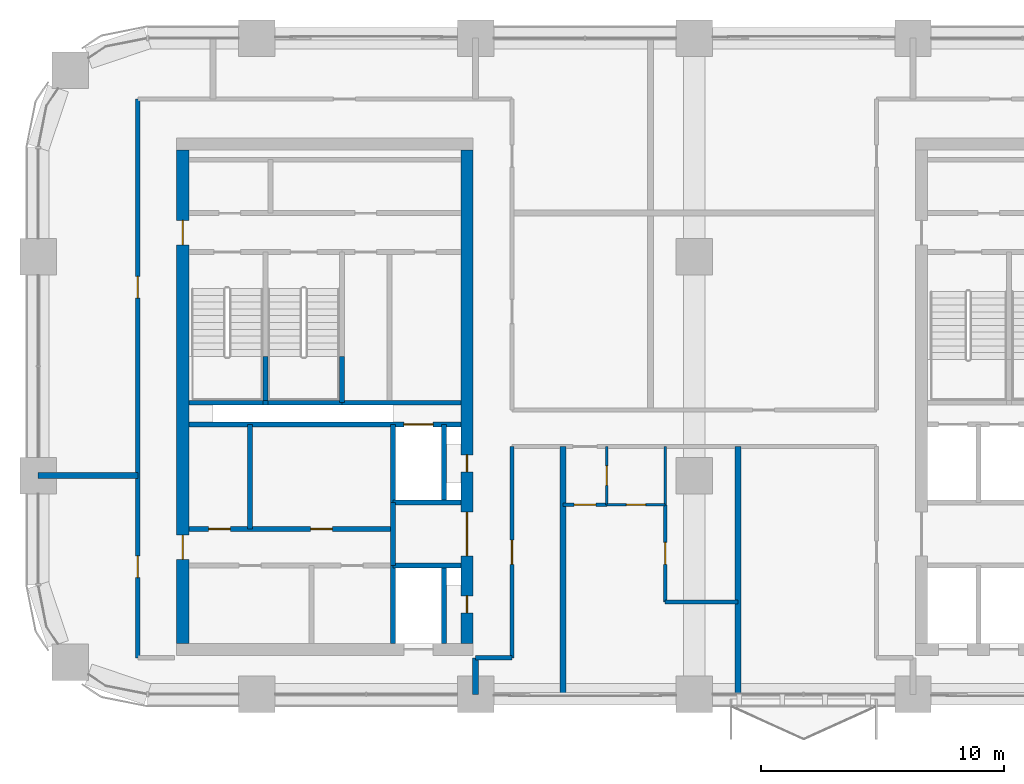
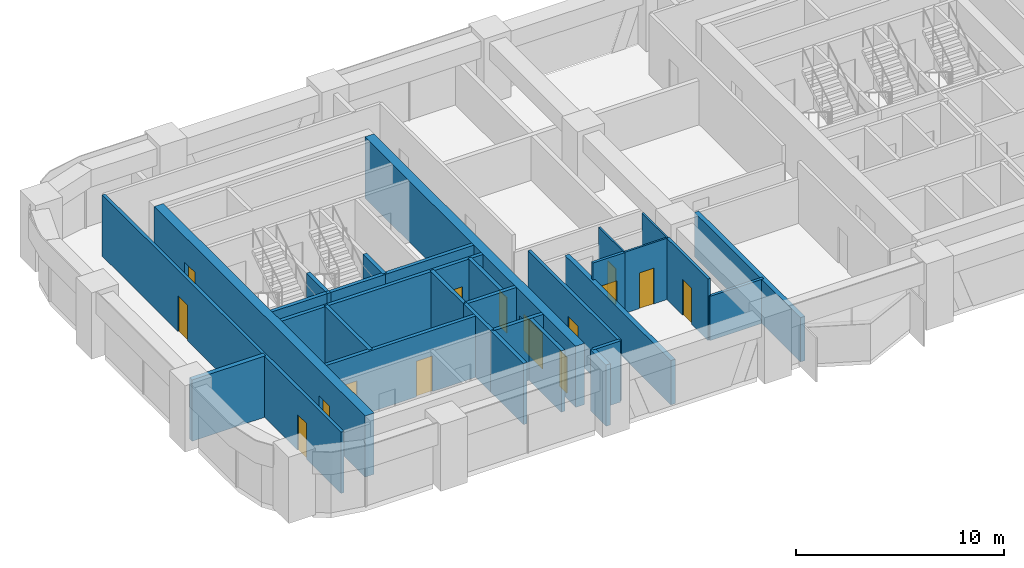
# One storey, part 9 of 14: 31 walls, 15 doors, 15 openings.
"""IFC4 building model written with IfcOpenShell, lengths in metres."""

from ifc_helpers import new_model, si_unit, direction, frame, frame_2d, origin, place, context, subcontext, project, spatial, rectangle, extrude, material, layer, layer_set, type_object, element, fill, save


model = new_model("IFC4")

# Units and contexts
model_context = context("Model", 3, precision=1e-05, world=origin(), true_north=direction((0.0, 1.0)))
body_context = subcontext(model_context, "Body", "Model", "MODEL_VIEW")
ifc_project = project(units=[si_unit("LENGTHUNIT", "METRE"), si_unit("AREAUNIT", "SQUARE_METRE"), si_unit("VOLUMEUNIT", "CUBIC_METRE"), si_unit("PLANEANGLEUNIT", "RADIAN"), si_unit("MASSUNIT", "GRAM", prefix="KILO")], contexts=[model_context])

# Site, building, storey
site_placement = place(None, origin())
site = spatial("IfcSite", under=ifc_project, at=site_placement, CompositionType="ELEMENT")
building_placement = place(site_placement, origin())
building = spatial("IfcBuilding", under=site, at=building_placement, Name="Tessera Arch", CompositionType="ELEMENT")
storey_placement = place(building_placement, frame((0.0, 0.0, 146.60009765625)))
storey = spatial("IfcBuildingStorey", under=building, at=storey_placement, Name="L34", CompositionType="ELEMENT", Elevation=146.60009765625)

# Walls
ifc_material_1 = material(Name="Gypsum board on steel stud", Category="steel")
ifc_layer_1 = layer(ifc_material_1, 0.125)
ifc_layer_set_1 = layer_set([ifc_layer_1], Name="Core partition 125 EI 60")
wall_type_1 = type_object("IfcWallType", Name="Core partition 125 EI 60", PredefinedType="PARTITIONING", material=ifc_layer_set_1)
wall_1_placement = place(storey_placement, frame((8.719970703125, 33.800048828125, 0.0), z_axis=(0.0, 0.0, 1.0), x_axis=(0.0, 1.0, 0.0)))
element("IfcWall", 1, at=wall_1_placement, inside=storey, type_object=wall_type_1, Name="L34 C2 partition wall 1", PredefinedType="PARTITIONING", context=body_context, shape_type="SweptSolid", body=[
    extrude(rectangle(XDim=4.300048828125, YDim=0.199951171875, at=frame_2d((2.14990234375, 0.0))), origin(), (0.0, 0.0, 1.0), 3.599853515625),
])
wall_2_placement = place(storey_placement, frame((14.60009765625, 32.300048828125, 0.0), z_axis=(0.0, 0.0, 1.0), x_axis=(0.0, 1.0, 0.0)))
element("IfcWall", 2, at=wall_2_placement, inside=storey, type_object=wall_type_1, Name="L34 C2 partition wall 9", PredefinedType="PARTITIONING", context=body_context, shape_type="SweptSolid", body=[
    extrude(rectangle(XDim=2.599853515625, YDim=0.199951171875, at=frame_2d((1.2998046875, 0.0))), origin(), (0.0, 0.0, 1.0), 3.599853515625),
])

# Wall, openings, doors
wall_3_placement = place(storey_placement, frame((6.199951171875, 33.800048828125, 0.0), z_axis=(0.0, 0.0, 1.0), x_axis=(1.0, 0.0, 0.0)))
wall_3 = element("IfcWall", 3, at=wall_3_placement, inside=storey, type_object=wall_type_1, Name="L34 C2 partition wall 16", PredefinedType="PARTITIONING", context=body_context, shape_type="SweptSolid", body=[
    extrude(rectangle(XDim=8.400146484375, YDim=0.199951171875, at=frame_2d((4.2001953125, 0.0))), origin(), (0.0, 0.0, 1.0), 3.599853515625),
])
opening_1_placement = place(wall_3_placement, frame((0.81005859375, 0.0, 0.0)))
opening_1 = element("IfcOpeningElement", 4, at=opening_1_placement, cuts=wall_3, Name="Opening L34-C35", PredefinedType="OPENING", context=body_context, shape_type="SweptSolid", body=[
    extrude(rectangle(XDim=0.89990234375, YDim=2.10009765625, at=frame_2d((0.449951171875, 1.050048828125))), frame((0.0, 0.10986328125, 0.0), z_axis=(0.0, -1.0, 0.0), x_axis=(1.0, 0.0, 0.0)), (0.0, 0.0, 1.0), 0.219970703125),
])
opening_2_placement = place(wall_3_placement, frame((5.010009765625, 0.0, 0.0)))
opening_2 = element("IfcOpeningElement", 5, at=opening_2_placement, cuts=wall_3, Name="Opening L34-C36", PredefinedType="OPENING", context=body_context, shape_type="SweptSolid", body=[
    extrude(rectangle(XDim=0.89990234375, YDim=2.10009765625, at=frame_2d((0.449951171875, 1.050048828125))), frame((0.0, 0.10986328125, 0.0), z_axis=(0.0, -1.0, 0.0), x_axis=(1.0, 0.0, 0.0)), (0.0, 0.0, 1.0), 0.219970703125),
])
ifc_material_2 = material(Name="Steel door leaf", Category="steel")
door_type_1 = type_object("IfcDoorType", Name="Store door FD30S 900 x 2100", OperationType="SINGLE_SWING_LEFT", PredefinedType="DOOR", material=ifc_material_2)
door_1_placement = place(opening_1_placement, origin())
door_1 = element("IfcDoor", 6, at=door_1_placement, inside=storey, type_object=door_type_1, Name="L34 C2 door 16 C35 type D09", OperationType="SINGLE_SWING_LEFT", OverallHeight=2.10009765625, OverallWidth=0.89990234375, PredefinedType="DOOR", context=body_context, shape_type="SweptSolid", body=[
    extrude(rectangle(XDim=0.89990234375, YDim=2.10009765625, at=frame_2d((0.449951171875, 1.050048828125))), frame((0.0, 0.02490234375, 0.0), z_axis=(0.0, -1.0, 0.0), x_axis=(1.0, 0.0, 0.0)), (0.0, 0.0, 1.0), 0.050048828125),
])
fill(opening_1, door_1)
door_2_placement = place(opening_2_placement, origin())
door_2 = element("IfcDoor", 7, at=door_2_placement, inside=storey, type_object=door_type_1, Name="L34 C2 door 17 C36 type D09", OperationType="SINGLE_SWING_RIGHT", OverallHeight=2.10009765625, OverallWidth=0.89990234375, PredefinedType="DOOR", context=body_context, shape_type="SweptSolid", body=[
    extrude(rectangle(XDim=0.89990234375, YDim=2.10009765625, at=frame_2d((0.449951171875, 1.050048828125))), frame((0.0, 0.02490234375, 0.0), z_axis=(0.0, -1.0, 0.0), x_axis=(1.0, 0.0, 0.0)), (0.0, 0.0, 1.0), 0.050048828125),
])
fill(opening_2, door_2)

ifc_material_3 = material(Name="Concrete C60/75", Category="concrete")
ifc_layer_2 = layer(ifc_material_3, 0.5)
ifc_layer_set_2 = layer_set([ifc_layer_2], Name="Core shell wall 500 C60-75")
wall_type_2 = type_object("IfcWallType", Name="Core shell wall 500 C60-75", PredefinedType="SHEAR", material=ifc_layer_set_2)
wall_4_placement = place(storey_placement, frame((5.949951171875, 29.10009765625, 0.0), z_axis=(0.0, 0.0, 1.0), x_axis=(0.0, 1.0, 0.0)))
wall_4 = element("IfcWall", 8, at=wall_4_placement, inside=storey, type_object=wall_type_2, Name="L34 C2 core wall W", PredefinedType="SHEAR", context=body_context, shape_type="SweptSolid", body=[
    extrude(rectangle(XDim=20.2998046875, YDim=0.5, at=frame_2d((10.14990234375, 0.0))), origin(), (0.0, 0.0, 1.0), 3.599853515625),
])
opening_3_placement = place(wall_4_placement, frame((3.449951171875, 0.0, 0.0)))
opening_3 = element("IfcOpeningElement", 9, at=opening_3_placement, cuts=wall_4, Name="Opening L34-C27", PredefinedType="OPENING", context=body_context, shape_type="SweptSolid", body=[
    extrude(rectangle(XDim=1.0, YDim=2.10009765625, at=frame_2d((0.5, 1.050048828125))), frame((0.0, 0.260009765625, 0.0), z_axis=(0.0, -1.0, 0.0), x_axis=(1.0, 0.0, 0.0)), (0.0, 0.0, 1.0), 0.52001953125),
])
opening_4_placement = place(wall_4_placement, frame((16.39990234375, 0.0, 0.0)))
opening_4 = element("IfcOpeningElement", 10, at=opening_4_placement, cuts=wall_4, Name="Opening L34-C28", PredefinedType="OPENING", context=body_context, shape_type="SweptSolid", body=[
    extrude(rectangle(XDim=1.0, YDim=2.10009765625, at=frame_2d((0.5, 1.050048828125))), frame((0.0, 0.260009765625, 0.0), z_axis=(0.0, -1.0, 0.0), x_axis=(1.0, 0.0, 0.0)), (0.0, 0.0, 1.0), 0.52001953125),
])
ifc_material_4 = material(Name="Steel door leaf", Category="steel")
door_type_2 = type_object("IfcDoorType", Name="Corridor door FD60 1000 x 2100", OperationType="SINGLE_SWING_LEFT", PredefinedType="DOOR", material=ifc_material_4)
door_3_placement = place(opening_3_placement, origin())
door_3 = element("IfcDoor", 11, at=door_3_placement, inside=storey, type_object=door_type_2, Name="L34 C2 door 8 C27 type D12", OperationType="SINGLE_SWING_LEFT", OverallHeight=2.10009765625, OverallWidth=1.0, PredefinedType="DOOR", context=body_context, shape_type="SweptSolid", body=[
    extrude(rectangle(XDim=1.0, YDim=2.10009765625, at=frame_2d((0.5, 1.050048828125))), frame((0.0, 0.02490234375, 0.0), z_axis=(0.0, -1.0, 0.0), x_axis=(1.0, 0.0, 0.0)), (0.0, 0.0, 1.0), 0.050048828125),
])
fill(opening_3, door_3)
door_4_placement = place(opening_4_placement, origin())
door_4 = element("IfcDoor", 12, at=door_4_placement, inside=storey, type_object=door_type_2, Name="L34 C2 door 9 C28 type D12", OperationType="SINGLE_SWING_RIGHT", OverallHeight=2.10009765625, OverallWidth=1.0, PredefinedType="DOOR", context=body_context, shape_type="SweptSolid", body=[
    extrude(rectangle(XDim=1.0, YDim=2.10009765625, at=frame_2d((0.5, 1.050048828125))), frame((0.0, 0.02490234375, 0.0), z_axis=(0.0, -1.0, 0.0), x_axis=(1.0, 0.0, 0.0)), (0.0, 0.0, 1.0), 0.050048828125),
])
fill(opening_4, door_4)

wall_5_placement = place(storey_placement, frame((17.64990234375, 29.10009765625, 0.0), z_axis=(0.0, 0.0, 1.0), x_axis=(0.0, 1.0, 0.0)))
wall_5 = element("IfcWall", 13, at=wall_5_placement, inside=storey, type_object=wall_type_2, Name="L34 C2 core wall E", PredefinedType="SHEAR", context=body_context, shape_type="SweptSolid", body=[
    extrude(rectangle(XDim=20.2998046875, YDim=0.5, at=frame_2d((10.14990234375, 0.0))), origin(), (0.0, 0.0, 1.0), 3.599853515625),
])
opening_5_placement = place(wall_5_placement, frame((1.25, 0.0, 0.0)))
opening_5 = element("IfcOpeningElement", 14, at=opening_5_placement, cuts=wall_5, Name="Opening L34-C22", PredefinedType="OPENING", context=body_context, shape_type="SweptSolid", body=[
    extrude(rectangle(XDim=0.699951171875, YDim=2.10009765625, at=frame_2d((0.35009765625, 1.050048828125))), frame((0.0, 0.260009765625, 0.0), z_axis=(0.0, -1.0, 0.0), x_axis=(1.0, 0.0, 0.0)), (0.0, 0.0, 1.0), 0.52001953125),
])
opening_6_placement = place(wall_5_placement, frame((7.050048828125, 0.0, 0.0)))
opening_6 = element("IfcOpeningElement", 15, at=opening_6_placement, cuts=wall_5, Name="Opening L34-C23", PredefinedType="OPENING", context=body_context, shape_type="SweptSolid", body=[
    extrude(rectangle(XDim=0.699951171875, YDim=2.10009765625, at=frame_2d((0.35009765625, 1.050048828125))), frame((0.0, 0.260009765625, 0.0), z_axis=(0.0, -1.0, 0.0), x_axis=(1.0, 0.0, 0.0)), (0.0, 0.0, 1.0), 0.52001953125),
])
opening_7_placement = place(wall_5_placement, frame((3.60009765625, 0.0, 0.0)))
opening_7 = element("IfcOpeningElement", 16, at=opening_7_placement, cuts=wall_5, Name="Opening L34-C26", PredefinedType="OPENING", context=body_context, shape_type="SweptSolid", body=[
    extrude(rectangle(XDim=1.800048828125, YDim=2.10009765625, at=frame_2d((0.89990234375, 1.050048828125))), frame((0.0, 0.260009765625, 0.0), z_axis=(0.0, -1.0, 0.0), x_axis=(1.0, 0.0, 0.0)), (0.0, 0.0, 1.0), 0.52001953125),
])
ifc_material_5 = material(Name="Glazed steel door leaf", Category="steel")
door_type_3 = type_object("IfcDoorType", Name="Lobby double door FD30S 1800 x 2100", OperationType="DOUBLE_DOOR_SINGLE_SWING", PredefinedType="DOOR", material=ifc_material_5)
door_5_placement = place(opening_7_placement, origin())
door_5 = element("IfcDoor", 17, at=door_5_placement, inside=storey, type_object=door_type_3, Name="L34 C2 door 7 C26 type D06", OperationType="DOUBLE_DOOR_SINGLE_SWING", OverallHeight=2.10009765625, OverallWidth=1.800048828125, PredefinedType="DOOR", context=body_context, shape_type="SweptSolid", body=[
    extrude(rectangle(XDim=1.800048828125, YDim=2.10009765625, at=frame_2d((0.89990234375, 1.050048828125))), frame((0.0, 0.02490234375, 0.0), z_axis=(0.0, -1.0, 0.0), x_axis=(1.0, 0.0, 0.0)), (0.0, 0.0, 1.0), 0.050048828125),
])
fill(opening_7, door_5)
ifc_material_6 = material(Name="Steel door leaf", Category="steel")
door_type_4 = type_object("IfcDoorType", Name="Service shaft door FD60 700 x 2100", OperationType="SINGLE_SWING_LEFT", PredefinedType="DOOR", material=ifc_material_6)
door_6_placement = place(opening_5_placement, origin())
door_6 = element("IfcDoor", 18, at=door_6_placement, inside=storey, type_object=door_type_4, Name="L34 C2 door 3 C22 type D07", OperationType="SINGLE_SWING_LEFT", OverallHeight=2.10009765625, OverallWidth=0.699951171875, PredefinedType="DOOR", context=body_context, shape_type="SweptSolid", body=[
    extrude(rectangle(XDim=0.699951171875, YDim=2.10009765625, at=frame_2d((0.35009765625, 1.050048828125))), frame((0.0, 0.02490234375, 0.0), z_axis=(0.0, -1.0, 0.0), x_axis=(1.0, 0.0, 0.0)), (0.0, 0.0, 1.0), 0.050048828125),
])
fill(opening_5, door_6)
door_7_placement = place(opening_6_placement, origin())
door_7 = element("IfcDoor", 19, at=door_7_placement, inside=storey, type_object=door_type_4, Name="L34 C2 door 4 C23 type D07", OperationType="SINGLE_SWING_LEFT", OverallHeight=2.10009765625, OverallWidth=0.699951171875, PredefinedType="DOOR", context=body_context, shape_type="SweptSolid", body=[
    extrude(rectangle(XDim=0.699951171875, YDim=2.10009765625, at=frame_2d((0.35009765625, 1.050048828125))), frame((0.0, 0.02490234375, 0.0), z_axis=(0.0, -1.0, 0.0), x_axis=(1.0, 0.0, 0.0)), (0.0, 0.0, 1.0), 0.050048828125),
])
fill(opening_6, door_7)

# Wall
ifc_material_7 = material(Name="Gypsum board on deep steel stud with mineral wool", Category="steel")
ifc_layer_3 = layer(ifc_material_7, 0.175048828125)
ifc_layer_set_3 = layer_set([ifc_layer_3], Name="Corridor wall 175 EI 60")
wall_type_3 = type_object("IfcWallType", Name="Corridor wall 175 EI 60", PredefinedType="PARTITIONING", material=ifc_layer_set_3)
wall_6_placement = place(storey_placement, frame((18.0, 28.5, 0.0), z_axis=(0.0, 0.0, 1.0), x_axis=(1.0, 0.0, 0.0)))
element("IfcWall", 20, at=wall_6_placement, inside=storey, type_object=wall_type_3, Name="L34 partition 2", PredefinedType="PARTITIONING", context=body_context, shape_type="SweptSolid", body=[
    extrude(rectangle(XDim=1.5, YDim=0.175048828125, at=frame_2d((0.75, 0.0))), origin(), (0.0, 0.0, 1.0), 3.599853515625),
])

# Wall, openings, doors
wall_7_placement = place(storey_placement, frame((4.10009765625, 28.5, 0.0), z_axis=(0.0, 0.0, 1.0), x_axis=(0.0, 1.0, 0.0)))
wall_7 = element("IfcWall", 21, at=wall_7_placement, inside=storey, type_object=wall_type_3, Name="L34 partition 9", PredefinedType="PARTITIONING", context=body_context, shape_type="SweptSolid", body=[
    extrude(rectangle(XDim=23.0, YDim=0.175048828125, at=frame_2d((11.5, 0.0))), origin(), (0.0, 0.0, 1.0), 3.599853515625),
])
opening_8_placement = place(wall_7_placement, frame((3.300048828125, 0.0, 0.0)))
opening_8 = element("IfcOpeningElement", 22, at=opening_8_placement, cuts=wall_7, Name="Opening L34-D001", PredefinedType="OPENING", context=body_context, shape_type="SweptSolid", body=[
    extrude(rectangle(XDim=0.89990234375, YDim=2.10009765625, at=frame_2d((0.449951171875, 1.050048828125))), frame((0.0, 0.097412109375, 0.0), z_axis=(0.0, -1.0, 0.0), x_axis=(1.0, 0.0, 0.0)), (0.0, 0.0, 1.0), 0.195068359375),
])
opening_9_placement = place(wall_7_placement, frame((14.800048828125, 0.0, 0.0)))
opening_9 = element("IfcOpeningElement", 23, at=opening_9_placement, cuts=wall_7, Name="Opening L34-D013", PredefinedType="OPENING", context=body_context, shape_type="SweptSolid", body=[
    extrude(rectangle(XDim=0.89990234375, YDim=2.10009765625, at=frame_2d((0.449951171875, 1.050048828125))), frame((0.0, 0.097412109375, 0.0), z_axis=(0.0, -1.0, 0.0), x_axis=(1.0, 0.0, 0.0)), (0.0, 0.0, 1.0), 0.195068359375),
])
ifc_material_8 = material(Name="Timber door leaf", Category="wood")
door_type_5 = type_object("IfcDoorType", Name="Room door 900 x 2100", OperationType="SINGLE_SWING_LEFT", PredefinedType="DOOR", material=ifc_material_8)
door_8_placement = place(opening_8_placement, origin())
door_8 = element("IfcDoor", 24, at=door_8_placement, inside=storey, type_object=door_type_5, Name="L34 door D001 type D01", OperationType="SINGLE_SWING_LEFT", OverallHeight=2.10009765625, OverallWidth=0.89990234375, PredefinedType="DOOR", context=body_context, shape_type="SweptSolid", body=[
    extrude(rectangle(XDim=0.89990234375, YDim=2.10009765625, at=frame_2d((0.449951171875, 1.050048828125))), frame((0.0, 0.02490234375, 0.0), z_axis=(0.0, -1.0, 0.0), x_axis=(1.0, 0.0, 0.0)), (0.0, 0.0, 1.0), 0.050048828125),
])
fill(opening_8, door_8)
door_9_placement = place(opening_9_placement, origin())
door_9 = element("IfcDoor", 25, at=door_9_placement, inside=storey, type_object=door_type_5, Name="L34 door D013 type D01", OperationType="SINGLE_SWING_LEFT", OverallHeight=2.10009765625, OverallWidth=0.89990234375, PredefinedType="DOOR", context=body_context, shape_type="SweptSolid", body=[
    extrude(rectangle(XDim=0.89990234375, YDim=2.10009765625, at=frame_2d((0.449951171875, 1.050048828125))), frame((0.0, 0.02490234375, 0.0), z_axis=(0.0, -1.0, 0.0), x_axis=(1.0, 0.0, 0.0)), (0.0, 0.0, 1.0), 0.050048828125),
])
fill(opening_9, door_9)

# Wall, opening, door
wall_8_placement = place(storey_placement, frame((19.5, 28.5, 0.0), z_axis=(0.0, 0.0, 1.0), x_axis=(0.0, 1.0, 0.0)))
wall_8 = element("IfcWall", 26, at=wall_8_placement, inside=storey, type_object=wall_type_3, Name="L34 partition 10", PredefinedType="PARTITIONING", context=body_context, shape_type="SweptSolid", body=[
    extrude(rectangle(XDim=8.699951171875, YDim=0.175048828125, at=frame_2d((4.35009765625, 0.0))), origin(), (0.0, 0.0, 1.0), 3.599853515625),
])
opening_10_placement = place(wall_8_placement, frame((3.85009765625, 0.0, 0.0)))
opening_10 = element("IfcOpeningElement", 27, at=opening_10_placement, cuts=wall_8, Name="Opening L34-D003", PredefinedType="OPENING", context=body_context, shape_type="SweptSolid", body=[
    extrude(rectangle(XDim=1.0, YDim=2.10009765625, at=frame_2d((0.5, 1.050048828125))), frame((0.0, 0.097412109375, 0.0), z_axis=(0.0, -1.0, 0.0), x_axis=(1.0, 0.0, 0.0)), (0.0, 0.0, 1.0), 0.195068359375),
])
ifc_material_9 = material(Name="Fire-rated door leaf")
door_type_6 = type_object("IfcDoorType", Name="Entrance door FD30S 1000 x 2100", OperationType="SINGLE_SWING_LEFT", PredefinedType="DOOR", material=ifc_material_9)
door_10_placement = place(opening_10_placement, origin())
door_10 = element("IfcDoor", 28, at=door_10_placement, inside=storey, type_object=door_type_6, Name="L34 door D003 type D03", OperationType="SINGLE_SWING_RIGHT", OverallHeight=2.10009765625, OverallWidth=1.0, PredefinedType="DOOR", context=body_context, shape_type="SweptSolid", body=[
    extrude(rectangle(XDim=1.0, YDim=2.10009765625, at=frame_2d((0.5, 1.050048828125))), frame((0.0, 0.02490234375, 0.0), z_axis=(0.0, -1.0, 0.0), x_axis=(1.0, 0.0, 0.0)), (0.0, 0.0, 1.0), 0.050048828125),
])
fill(opening_10, door_10)

# Wall
ifc_material_10 = material(Name="Gypsum board on steel stud", Category="steel")
ifc_layer_4 = layer(ifc_material_10, 0.14990234375)
ifc_layer_set_4 = layer_set([ifc_layer_4], Name="Partition 150")
wall_type_4 = type_object("IfcWallType", Name="Partition 150", PredefinedType="PARTITIONING", material=ifc_layer_set_4)
wall_9_placement = place(storey_placement, frame((25.800048828125, 30.800048828125, 0.0), z_axis=(0.0, 0.0, 1.0), x_axis=(1.0, 0.0, 0.0)))
element("IfcWall", 29, at=wall_9_placement, inside=storey, type_object=wall_type_4, Name="L34 partition 15", PredefinedType="PARTITIONING", context=body_context, shape_type="SweptSolid", body=[
    extrude(rectangle(XDim=3.0, YDim=0.14990234375, at=frame_2d((1.5, 0.0))), origin(), (0.0, 0.0, 1.0), 2.599853515625),
])

# Wall, opening, door
wall_10_placement = place(storey_placement, frame((21.60009765625, 34.800048828125, 0.0), z_axis=(0.0, 0.0, 1.0), x_axis=(1.0, 0.0, 0.0)))
wall_10 = element("IfcWall", 30, at=wall_10_placement, inside=storey, type_object=wall_type_4, Name="L34 partition 16", PredefinedType="PARTITIONING", context=body_context, shape_type="SweptSolid", body=[
    extrude(rectangle(XDim=1.7998046875, YDim=0.14990234375, at=frame_2d((0.89990234375, 0.0))), origin(), (0.0, 0.0, 1.0), 3.599853515625),
])
opening_11_placement = place(wall_10_placement, frame((0.449951171875, 0.0, 0.0)))
opening_11 = element("IfcOpeningElement", 31, at=opening_11_placement, cuts=wall_10, Name="Opening L34-D006", PredefinedType="OPENING", context=body_context, shape_type="SweptSolid", body=[
    extrude(rectangle(XDim=0.89990234375, YDim=2.10009765625, at=frame_2d((0.449951171875, 1.050048828125))), frame((0.0, 0.0849609375, 0.0), z_axis=(0.0, -1.0, 0.0), x_axis=(1.0, 0.0, 0.0)), (0.0, 0.0, 1.0), 0.169921875),
])
door_11_placement = place(opening_11_placement, origin())
door_11 = element("IfcDoor", 32, at=door_11_placement, inside=storey, type_object=door_type_5, Name="L34 door D006 type D01", OperationType="SINGLE_SWING_LEFT", OverallHeight=2.10009765625, OverallWidth=0.89990234375, PredefinedType="DOOR", context=body_context, shape_type="SweptSolid", body=[
    extrude(rectangle(XDim=0.89990234375, YDim=2.10009765625, at=frame_2d((0.449951171875, 1.050048828125))), frame((0.0, 0.02490234375, 0.0), z_axis=(0.0, -1.0, 0.0), x_axis=(1.0, 0.0, 0.0)), (0.0, 0.0, 1.0), 0.050048828125),
])
fill(opening_11, door_11)

wall_11_placement = place(storey_placement, frame((25.800048828125, 30.800048828125, 0.0), z_axis=(0.0, 0.0, 1.0), x_axis=(0.0, 1.0, 0.0)))
wall_11 = element("IfcWall", 33, at=wall_11_placement, inside=storey, type_object=wall_type_4, Name="L34 partition 17", PredefinedType="PARTITIONING", context=body_context, shape_type="SweptSolid", body=[
    extrude(rectangle(XDim=4.0, YDim=0.14990234375, at=frame_2d((2.0, 0.0))), origin(), (0.0, 0.0, 1.0), 3.599853515625),
])
opening_12_placement = place(wall_11_placement, frame((1.550048828125, 0.0, 0.0)))
opening_12 = element("IfcOpeningElement", 34, at=opening_12_placement, cuts=wall_11, Name="Opening L34-D009", PredefinedType="OPENING", context=body_context, shape_type="SweptSolid", body=[
    extrude(rectangle(XDim=0.89990234375, YDim=2.10009765625, at=frame_2d((0.449951171875, 1.050048828125))), frame((0.0, 0.0849609375, 0.0), z_axis=(0.0, -1.0, 0.0), x_axis=(1.0, 0.0, 0.0)), (0.0, 0.0, 1.0), 0.169921875),
])
door_12_placement = place(opening_12_placement, origin())
door_12 = element("IfcDoor", 35, at=door_12_placement, inside=storey, type_object=door_type_5, Name="L34 door D009 type D01", OperationType="SINGLE_SWING_RIGHT", OverallHeight=2.10009765625, OverallWidth=0.89990234375, PredefinedType="DOOR", context=body_context, shape_type="SweptSolid", body=[
    extrude(rectangle(XDim=0.89990234375, YDim=2.10009765625, at=frame_2d((0.449951171875, 1.050048828125))), frame((0.0, 0.02490234375, 0.0), z_axis=(0.0, -1.0, 0.0), x_axis=(1.0, 0.0, 0.0)), (0.0, 0.0, 1.0), 0.050048828125),
])
fill(opening_12, door_12)

# Walls
ifc_material_11 = material(Name="Double gypsum board on twin steel stud with acoustic mineral wool", Category="steel")
ifc_layer_5 = layer(ifc_material_11, 0.25)
ifc_layer_set_5 = layer_set([ifc_layer_5], Name="Party wall 250 EI 60")
wall_type_5 = type_object("IfcWallType", Name="Party wall 250 EI 60", PredefinedType="PARTITIONING", material=ifc_layer_set_5)
wall_12_placement = place(storey_placement, frame((0.0, 36.0, 0.0), z_axis=(0.0, 0.0, 1.0), x_axis=(1.0, 0.0, 0.0)))
element("IfcWall", 36, at=wall_12_placement, inside=storey, type_object=wall_type_5, Name="L34 partition 18", PredefinedType="PARTITIONING", context=body_context, shape_type="SweptSolid", body=[
    extrude(rectangle(XDim=4.10009765625, YDim=0.25, at=frame_2d((2.050048828125, 0.0))), origin(), (0.0, 0.0, 1.0), 3.599853515625),
])
wall_13_placement = place(storey_placement, frame((18.0, 27.0, 0.0), z_axis=(0.0, 0.0, 1.0), x_axis=(0.0, 1.0, 0.0)))
element("IfcWall", 37, at=wall_13_placement, inside=storey, type_object=wall_type_5, Name="L34 partition 23", PredefinedType="PARTITIONING", context=body_context, shape_type="SweptSolid", body=[
    extrude(rectangle(XDim=1.5, YDim=0.25, at=frame_2d((0.75, 0.0))), origin(), (0.0, 0.0, 1.0), 3.599853515625),
])
for number, where, z_axis, x_axis, name in (
    (38, (21.60009765625, 27.0, 0.0), (0.0, 0.0, 1.0), (0.0, 1.0, 0.0), "L34 partition 25"),
    (39, (28.800048828125, 27.0, 0.0), (0.0, 0.0, 1.0), (0.0, 1.0, 0.0), "L34 partition 27"),
):
    element("IfcWall", number, at=place(storey_placement, frame(where, z_axis=z_axis, x_axis=x_axis)), inside=storey, type_object=wall_type_5, Name=name, PredefinedType="PARTITIONING", context=body_context, shape_type="SweptSolid", body=[
        extrude(rectangle(XDim=10.199951171875, YDim=0.25, at=frame_2d((5.10009765625, 0.0))), origin(), (0.0, 0.0, 1.0), 2.599853515625),
    ])
ifc_material_12 = material(Name="Concrete C40/50", Category="concrete")
ifc_layer_6 = layer(ifc_material_12, 0.199951171875)
ifc_layer_set_6 = layer_set([ifc_layer_6], Name="Shaft wall 200 EI 120")
wall_type_6 = type_object("IfcWallType", Name="Shaft wall 200 EI 120", PredefinedType="SOLIDWALL", material=ifc_layer_set_6)
wall_14_placement = place(storey_placement, frame((14.60009765625, 29.10009765625, 0.0), z_axis=(0.0, 0.0, 1.0), x_axis=(0.0, 1.0, 0.0)))
element("IfcWall", 40, at=wall_14_placement, inside=storey, type_object=wall_type_6, Name="L34 C2 shaft wall 10", PredefinedType="SOLIDWALL", context=body_context, shape_type="SweptSolid", body=[
    extrude(rectangle(XDim=3.199951171875, YDim=0.199951171875, at=frame_2d((1.60009765625, 0.0))), origin(), (0.0, 0.0, 1.0), 3.599853515625),
])
wall_15_placement = place(storey_placement, frame((14.60009765625, 34.89990234375, 0.0), z_axis=(0.0, 0.0, 1.0), x_axis=(0.0, 1.0, 0.0)))
element("IfcWall", 41, at=wall_15_placement, inside=storey, type_object=wall_type_6, Name="L34 C2 shaft wall 11", PredefinedType="SOLIDWALL", context=body_context, shape_type="SweptSolid", body=[
    extrude(rectangle(XDim=3.2001953125, YDim=0.199951171875, at=frame_2d((1.60009765625, 0.0))), origin(), (0.0, 0.0, 1.0), 3.599853515625),
])
wall_16_placement = place(storey_placement, frame((16.699951171875, 29.10009765625, 0.0), z_axis=(0.0, 0.0, 1.0), x_axis=(0.0, 1.0, 0.0)))
element("IfcWall", 42, at=wall_16_placement, inside=storey, type_object=wall_type_6, Name="L34 C2 shaft wall 12", PredefinedType="SOLIDWALL", context=body_context, shape_type="SweptSolid", body=[
    extrude(rectangle(XDim=3.199951171875, YDim=0.199951171875, at=frame_2d((1.60009765625, 0.0))), origin(), (0.0, 0.0, 1.0), 3.599853515625),
])
wall_17_placement = place(storey_placement, frame((16.699951171875, 34.89990234375, 0.0), z_axis=(0.0, 0.0, 1.0), x_axis=(0.0, 1.0, 0.0)))
element("IfcWall", 43, at=wall_17_placement, inside=storey, type_object=wall_type_6, Name="L34 C2 shaft wall 13", PredefinedType="SOLIDWALL", context=body_context, shape_type="SweptSolid", body=[
    extrude(rectangle(XDim=3.2001953125, YDim=0.199951171875, at=frame_2d((1.60009765625, 0.0))), origin(), (0.0, 0.0, 1.0), 3.599853515625),
])
for number, where, z_axis, x_axis, name in (
    (44, (14.60009765625, 32.300048828125, 0.0), (0.0, 0.0, 1.0), (1.0, 0.0, 0.0), "L34 C2 shaft wall 15"),
    (45, (14.60009765625, 34.89990234375, 0.0), (0.0, 0.0, 1.0), (1.0, 0.0, 0.0), "L34 C2 shaft wall 17"),
):
    element("IfcWall", number, at=place(storey_placement, frame(where, z_axis=z_axis, x_axis=x_axis)), inside=storey, type_object=wall_type_6, Name=name, PredefinedType="SOLIDWALL", context=body_context, shape_type="SweptSolid", body=[
        extrude(rectangle(XDim=2.7998046875, YDim=0.199951171875, at=frame_2d((1.39990234375, 0.0))), origin(), (0.0, 0.0, 1.0), 3.599853515625),
    ])

# Wall, opening, door
wall_18_placement = place(storey_placement, frame((6.199951171875, 38.10009765625, 0.0), z_axis=(0.0, 0.0, 1.0), x_axis=(1.0, 0.0, 0.0)))
wall_18 = element("IfcWall", 46, at=wall_18_placement, inside=storey, type_object=wall_type_6, Name="L34 C2 shaft wall 18", PredefinedType="SOLIDWALL", context=body_context, shape_type="SweptSolid", body=[
    extrude(rectangle(XDim=11.199951171875, YDim=0.199951171875, at=frame_2d((5.60009765625, 0.0))), origin(), (0.0, 0.0, 1.0), 3.599853515625),
])
opening_13_placement = place(wall_18_placement, frame((8.85009765625, 0.0, 0.0)))
opening_13 = element("IfcOpeningElement", 47, at=opening_13_placement, cuts=wall_18, Name="Opening L34-C21", PredefinedType="OPENING", context=body_context, shape_type="SweptSolid", body=[
    extrude(rectangle(XDim=1.199951171875, YDim=2.10009765625, at=frame_2d((0.60009765625, 1.050048828125))), frame((0.0, 0.10986328125, 0.0), z_axis=(0.0, -1.0, 0.0), x_axis=(1.0, 0.0, 0.0)), (0.0, 0.0, 1.0), 0.219970703125),
])
ifc_material_13 = material(Name="Stainless steel AISI 304", Category="steel")
door_type_7 = type_object("IfcDoorType", Name="Sliding landing door 1200 x 2100", OperationType="SLIDING_TO_LEFT", PredefinedType="DOOR", material=ifc_material_13)
door_13_placement = place(opening_13_placement, origin())
door_13 = element("IfcDoor", 48, at=door_13_placement, inside=storey, type_object=door_type_7, Name="L34 HR8 lift landing door C21 type LD", OperationType="SLIDING_TO_LEFT", OverallHeight=2.10009765625, OverallWidth=1.199951171875, PredefinedType="DOOR", context=body_context, shape_type="SweptSolid", body=[
    extrude(rectangle(XDim=1.199951171875, YDim=2.10009765625, at=frame_2d((0.60009765625, 1.050048828125))), frame((0.0, 0.02490234375, 0.0), z_axis=(0.0, -1.0, 0.0), x_axis=(1.0, 0.0, 0.0)), (0.0, 0.0, 1.0), 0.050048828125),
])
fill(opening_13, door_13)

# Walls
wall_19_placement = place(storey_placement, frame((12.5, 39.0, 0.0), z_axis=(0.0, 0.0, 1.0), x_axis=(1.0, 0.0, 0.0)))
element("IfcWall", 49, at=wall_19_placement, inside=storey, type_object=wall_type_6, Name="L34 C2 shaft wall 19", PredefinedType="SOLIDWALL", context=body_context, shape_type="SweptSolid", body=[
    extrude(rectangle(XDim=4.89990234375, YDim=0.199951171875, at=frame_2d((2.449951171875, 0.0))), origin(), (0.0, 0.0, 1.0), 3.599853515625),
])
ifc_material_14 = material(Name="Concrete C40/50", Category="concrete")
ifc_layer_7 = layer(ifc_material_14, 0.199951171875)
ifc_layer_set_7 = layer_set([ifc_layer_7], Name="Stair well wall 200 REI 180")
wall_type_7 = type_object("IfcWallType", Name="Stair well wall 200 REI 180", PredefinedType="SOLIDWALL", material=ifc_layer_set_7)
for number, where, z_axis, x_axis, name in (
    (50, (9.35009765625, 39.0, 0.0), (0.0, 0.0, 1.0), (0.0, 1.0, 0.0), "L34 C2 shaft wall 2"),
    (51, (12.5, 39.0, 0.0), (0.0, 0.0, 1.0), (0.0, 1.0, 0.0), "L34 C2 shaft wall 6"),
):
    element("IfcWall", number, at=place(storey_placement, frame(where, z_axis=z_axis, x_axis=x_axis)), inside=storey, type_object=wall_type_7, Name=name, PredefinedType="SOLIDWALL", context=body_context, shape_type="SweptSolid", body=[
        extrude(rectangle(XDim=1.89990234375, YDim=0.199951171875, at=frame_2d((0.949951171875, 0.0))), origin(), (0.0, 0.0, 1.0), 3.599853515625),
    ])
wall_20_placement = place(storey_placement, frame((6.199951171875, 39.0, 0.0), z_axis=(0.0, 0.0, 1.0), x_axis=(1.0, 0.0, 0.0)))
element("IfcWall", 52, at=wall_20_placement, inside=storey, type_object=wall_type_7, Name="L34 C2 shaft wall 20", PredefinedType="SOLIDWALL", context=body_context, shape_type="SweptSolid", body=[
    extrude(rectangle(XDim=3.050048828125, YDim=0.199951171875, at=frame_2d((1.52490234375, 0.0))), origin(), (0.0, 0.0, 1.0), 3.599853515625),
])
wall_21_placement = place(storey_placement, frame((9.25, 39.0, 0.0), z_axis=(0.0, 0.0, 1.0), x_axis=(1.0, 0.0, 0.0)))
element("IfcWall", 53, at=wall_21_placement, inside=storey, type_object=wall_type_7, Name="L34 C2 shaft wall 21", PredefinedType="SOLIDWALL", context=body_context, shape_type="SweptSolid", body=[
    extrude(rectangle(XDim=0.199951171875, YDim=0.199951171875, at=frame_2d((0.10009765625, 0.0))), origin(), (0.0, 0.0, 1.0), 3.599853515625),
])
wall_22_placement = place(storey_placement, frame((9.449951171875, 39.0, 0.0), z_axis=(0.0, 0.0, 1.0), x_axis=(1.0, 0.0, 0.0)))
element("IfcWall", 54, at=wall_22_placement, inside=storey, type_object=wall_type_7, Name="L34 C2 shaft wall 22", PredefinedType="SOLIDWALL", context=body_context, shape_type="SweptSolid", body=[
    extrude(rectangle(XDim=3.050048828125, YDim=0.199951171875, at=frame_2d((1.52490234375, 0.0))), origin(), (0.0, 0.0, 1.0), 3.599853515625),
])

# Wall, opening, door
ifc_material_15 = material(Name="Moisture-resistant board on pre-plumbed steel stud", Category="steel")
ifc_layer_8 = layer(ifc_material_15, 0.10009765625)
ifc_layer_set_8 = layer_set([ifc_layer_8], Name="Wet wall 100")
wall_type_8 = type_object("IfcWallType", Name="Wet wall 100", PredefinedType="PARTITIONING", material=ifc_layer_set_8)
wall_23_placement = place(storey_placement, frame((23.39990234375, 34.800048828125, 0.0), z_axis=(0.0, 0.0, 1.0), x_axis=(1.0, 0.0, 0.0)))
wall_23 = element("IfcWall", 55, at=wall_23_placement, inside=storey, type_object=wall_type_8, Name="L34 partition 32", PredefinedType="PARTITIONING", context=body_context, shape_type="SweptSolid", body=[
    extrude(rectangle(XDim=2.400146484375, YDim=0.10009765625, at=frame_2d((1.2001953125, 0.0))), origin(), (0.0, 0.0, 1.0), 3.599853515625),
])
opening_14_placement = place(wall_23_placement, frame((0.800048828125, 0.0, 0.0)))
opening_14 = element("IfcOpeningElement", 56, at=opening_14_placement, cuts=wall_23, Name="Opening L34-D008", PredefinedType="OPENING", context=body_context, shape_type="SweptSolid", body=[
    extrude(rectangle(XDim=0.800048828125, YDim=2.10009765625, at=frame_2d((0.39990234375, 1.050048828125))), frame((0.0, 0.06005859375, 0.0), z_axis=(0.0, -1.0, 0.0), x_axis=(1.0, 0.0, 0.0)), (0.0, 0.0, 1.0), 0.1201171875),
])
ifc_material_16 = material(Name="Timber door leaf", Category="wood")
door_type_8 = type_object("IfcDoorType", Name="En-suite door 800 x 2100", OperationType="SINGLE_SWING_LEFT", PredefinedType="DOOR", material=ifc_material_16)
door_14_placement = place(opening_14_placement, origin())
door_14 = element("IfcDoor", 57, at=door_14_placement, inside=storey, type_object=door_type_8, Name="L34 door D008 type D02", OperationType="SINGLE_SWING_RIGHT", OverallHeight=2.10009765625, OverallWidth=0.800048828125, PredefinedType="DOOR", context=body_context, shape_type="SweptSolid", body=[
    extrude(rectangle(XDim=0.800048828125, YDim=2.10009765625, at=frame_2d((0.39990234375, 1.050048828125))), frame((0.0, 0.02490234375, 0.0), z_axis=(0.0, -1.0, 0.0), x_axis=(1.0, 0.0, 0.0)), (0.0, 0.0, 1.0), 0.050048828125),
])
fill(opening_14, door_14)

wall_24_placement = place(storey_placement, frame((23.39990234375, 34.800048828125, 0.0), z_axis=(0.0, 0.0, 1.0), x_axis=(0.0, 1.0, 0.0)))
wall_24 = element("IfcWall", 58, at=wall_24_placement, inside=storey, type_object=wall_type_8, Name="L34 partition 33", PredefinedType="PARTITIONING", context=body_context, shape_type="SweptSolid", body=[
    extrude(rectangle(XDim=2.39990234375, YDim=0.10009765625, at=frame_2d((1.199951171875, 0.0))), origin(), (0.0, 0.0, 1.0), 3.599853515625),
])
opening_15_placement = place(wall_24_placement, frame((0.800048828125, 0.0, 0.0)))
opening_15 = element("IfcOpeningElement", 59, at=opening_15_placement, cuts=wall_24, Name="Opening L34-D007", PredefinedType="OPENING", context=body_context, shape_type="SweptSolid", body=[
    extrude(rectangle(XDim=0.800048828125, YDim=2.10009765625, at=frame_2d((0.39990234375, 1.050048828125))), frame((0.0, 0.06005859375, 0.0), z_axis=(0.0, -1.0, 0.0), x_axis=(1.0, 0.0, 0.0)), (0.0, 0.0, 1.0), 0.1201171875),
])
door_15_placement = place(opening_15_placement, origin())
door_15 = element("IfcDoor", 60, at=door_15_placement, inside=storey, type_object=door_type_8, Name="L34 door D007 type D02", OperationType="SINGLE_SWING_RIGHT", OverallHeight=2.10009765625, OverallWidth=0.800048828125, PredefinedType="DOOR", context=body_context, shape_type="SweptSolid", body=[
    extrude(rectangle(XDim=0.800048828125, YDim=2.10009765625, at=frame_2d((0.39990234375, 1.050048828125))), frame((0.0, 0.02490234375, 0.0), z_axis=(0.0, -1.0, 0.0), x_axis=(1.0, 0.0, 0.0)), (0.0, 0.0, 1.0), 0.050048828125),
])
fill(opening_15, door_15)

# Wall
wall_25_placement = place(storey_placement, frame((25.800048828125, 34.800048828125, 0.0), z_axis=(0.0, 0.0, 1.0), x_axis=(0.0, 1.0, 0.0)))
element("IfcWall", 61, at=wall_25_placement, inside=storey, type_object=wall_type_8, Name="L34 partition 34", PredefinedType="PARTITIONING", context=body_context, shape_type="SweptSolid", body=[
    extrude(rectangle(XDim=2.39990234375, YDim=0.10009765625, at=frame_2d((1.199951171875, 0.0))), origin(), (0.0, 0.0, 1.0), 3.599853515625),
])

save(model, "model.ifc")
